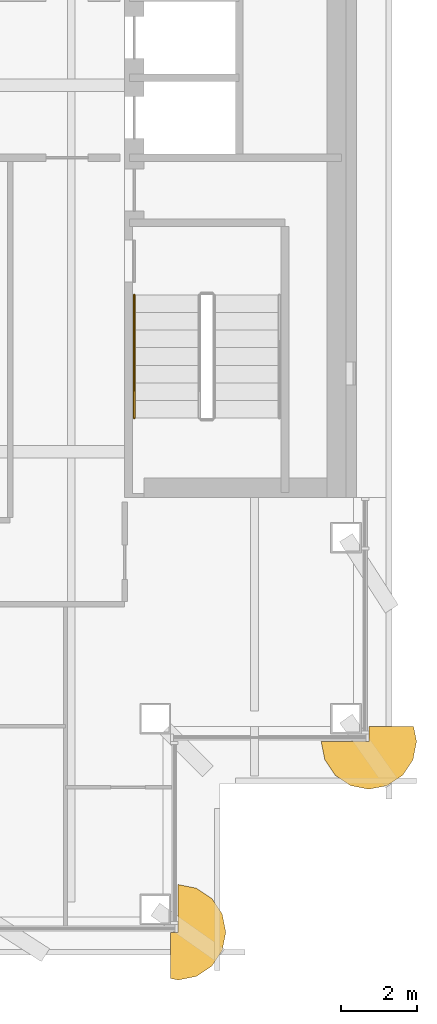
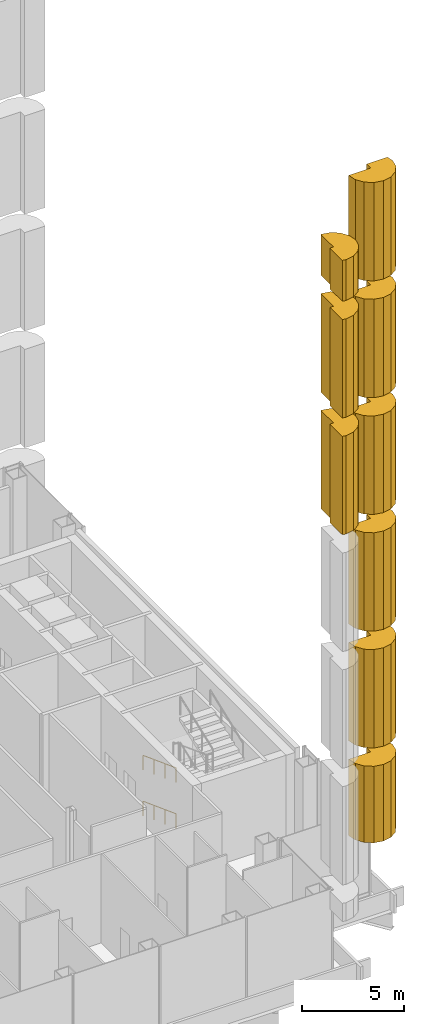
# One storey, part 17 of 22: 9 coverings, 2 railings.
"""IFC4 building model written with IfcOpenShell, lengths in metres."""

from ifc_helpers import new_model, si_unit, direction, frame, origin, origin_2d, place, context, subcontext, project, spatial, polyline, circle, outline, extrude, material, type_object, element, save


model = new_model("IFC4")

# Units and contexts
model_context = context("Model", 3, precision=1e-05, world=origin(), true_north=direction((0.0, 1.0)))
body_context = subcontext(model_context, "Body", "Model", "MODEL_VIEW")
ifc_project = project(units=[si_unit("LENGTHUNIT", "METRE"), si_unit("AREAUNIT", "SQUARE_METRE"), si_unit("VOLUMEUNIT", "CUBIC_METRE"), si_unit("PLANEANGLEUNIT", "RADIAN"), si_unit("MASSUNIT", "GRAM", prefix="KILO")], contexts=[model_context])

# Site, building, storey
site_placement = place(None, origin())
site = spatial("IfcSite", under=ifc_project, at=site_placement, CompositionType="ELEMENT")
building_placement = place(site_placement, origin())
building = spatial("IfcBuilding", under=site, at=building_placement, Name="Cobrizo Arcos Hotel Tower", CompositionType="ELEMENT")
storey_placement = place(building_placement, frame((0.0, 0.0, 142.5)))
storey = spatial("IfcBuildingStorey", under=building, at=storey_placement, Name="L36", CompositionType="ELEMENT", Elevation=142.5)

# Coverings
ifc_material_1 = material(Name="Aluminium 6063-T6 anodised pale", Category="aluminium")
covering_type = type_object("IfcCoveringType", Name="RB-2 notch bullnose roll R1250", PredefinedType="CLADDING", material=ifc_material_1)
covering_1_placement = place(storey_placement, frame((0.0, 0.0, 4.362548828125)))
element("IfcCovering", 1, at=covering_1_placement, inside=storey, type_object=covering_type, Name="Notch bullnose roll 19", PredefinedType="CLADDING", context=body_context, shape_type="SweptSolid", body=[
    extrude(outline(polyline([(21.316162109375, -18.083984375), (21.7216796875, -18.354736328125), (22.199951171875, -18.449951171875), (22.678466796875, -18.354736328125), (23.083984375, -18.083984375), (23.354736328125, -17.678466796875), (23.449951171875, -17.199951171875), (23.370361328125, -16.800048828125), (22.199951171875, -16.800048828125), (22.199951171875, -17.199951171875), (20.949951171875, -17.199951171875), (21.045166015625, -17.678466796875), (21.316162109375, -18.083984375)])), origin(), (0.0, 0.0, 1.0), 4.58740234375),
])
for number, where, name in (
    (2, (0.0, 0.0, 10.050048828125), "Notch bullnose roll 19 part 2"),
    (3, (0.0, 0.0, 17.050048828125), "Notch bullnose roll 19 part 3"),
    (4, (0.0, 0.0, 24.050048828125), "Notch bullnose roll 19 part 4"),
    (5, (0.0, 0.0, 31.050048828125), "Notch bullnose roll 19 part 5"),
    (6, (0.0, 0.0, 38.050048828125), "Notch bullnose roll 19 part 6"),
):
    element("IfcCovering", number, at=place(storey_placement, frame(where)), inside=storey, type_object=covering_type, Name=name, PredefinedType="CLADDING", context=body_context, shape_type="SweptSolid", body=[
        extrude(outline(polyline([(21.316162109375, -18.083984375), (21.7216796875, -18.354736328125), (22.199951171875, -18.449951171875), (22.678466796875, -18.354736328125), (23.083984375, -18.083984375), (23.354736328125, -17.678466796875), (23.449951171875, -17.199951171875), (23.370361328125, -16.800048828125), (22.199951171875, -16.800048828125), (22.199951171875, -17.199951171875), (20.949951171875, -17.199951171875), (21.045166015625, -17.678466796875), (21.316162109375, -18.083984375)])), origin(), (0.0, 0.0, 1.0), 5.89990234375),
    ])
for number, where, name in (
    (7, (0.0, 0.0, 27.550048828125), "Notch bullnose roll 22 part 5"),
    (8, (0.0, 0.0, 34.550048828125), "Notch bullnose roll 22 part 6"),
):
    element("IfcCovering", number, at=place(storey_placement, frame(where)), inside=storey, type_object=covering_type, Name=name, PredefinedType="CLADDING", context=body_context, shape_type="SweptSolid", body=[
        extrude(outline(polyline([(18.083984375, -21.316162109375), (17.678466796875, -21.045166015625), (17.199951171875, -20.949951171875), (17.199951171875, -22.199951171875), (17.0, -22.199951171875), (17.0, -23.41015625), (17.199951171875, -23.449951171875), (17.678466796875, -23.354736328125), (18.083984375, -23.083984375), (18.354736328125, -22.678466796875), (18.449951171875, -22.199951171875), (18.354736328125, -21.7216796875), (18.083984375, -21.316162109375)])), origin(), (0.0, 0.0, 1.0), 5.89990234375),
    ])
covering_2_placement = place(storey_placement, frame((0.0, 0.0, 41.550048828125)))
element("IfcCovering", 9, at=covering_2_placement, inside=storey, type_object=covering_type, Name="Notch bullnose roll 22 part 7", PredefinedType="CLADDING", context=body_context, shape_type="SweptSolid", body=[
    extrude(outline(polyline([(18.083984375, -21.316162109375), (17.678466796875, -21.045166015625), (17.199951171875, -20.949951171875), (17.199951171875, -22.199951171875), (17.0, -22.199951171875), (17.0, -23.41015625), (17.199951171875, -23.449951171875), (17.678466796875, -23.354736328125), (18.083984375, -23.083984375), (18.354736328125, -22.678466796875), (18.449951171875, -22.199951171875), (18.354736328125, -21.7216796875), (18.083984375, -21.316162109375)])), origin(), (0.0, 0.0, 1.0), 2.449951171875),
])

# Railings
ifc_material_2 = material(Name="Stainless steel railing", Category="steel")
railing_type = type_object("IfcRailingType", Name="Stair handrail", PredefinedType="HANDRAIL", material=ifc_material_2)
for number, where, name in (
    (10, (16.050048828125, -5.5, 0.171875), "L36 ST-E stair handrail 1"),
    (11, (16.050048828125, -5.5, 2.921875), "L36 ST-E stair handrail 3"),
):
    element("IfcRailing", number, at=place(storey_placement, frame(where)), inside=storey, type_object=railing_type, Name=name, PredefinedType="HANDRAIL", context=body_context, shape_type="SweptSolid", body=[
        extrude(circle(Radius=0.02392578125, at=origin_2d()), frame((0.0, 0.0, 0.8759765625), z_axis=(0.0, -0.936745908249, 0.350010147536), x_axis=(1.0, 0.0, 0.0)), (0.0, 0.0, 1.0), 3.4375),
        extrude(circle(Radius=0.02099609375, at=origin_2d()), origin(), (0.0, 0.0, 1.0), 0.851806640625),
        extrude(circle(Radius=0.02099609375, at=origin_2d()), frame((0.0, -1.0732421875, 0.401123046875)), (0.0, 0.0, 1.0), 0.851806640625),
        extrude(circle(Radius=0.02099609375, at=origin_2d()), frame((0.0, -2.146728515625, 0.802001953125)), (0.0, 0.0, 1.0), 0.851806640625),
        extrude(circle(Radius=0.02099609375, at=origin_2d()), frame((0.0, -3.219970703125, 1.203125)), (0.0, 0.0, 1.0), 0.851806640625),
    ])

save(model, "model.ifc")
